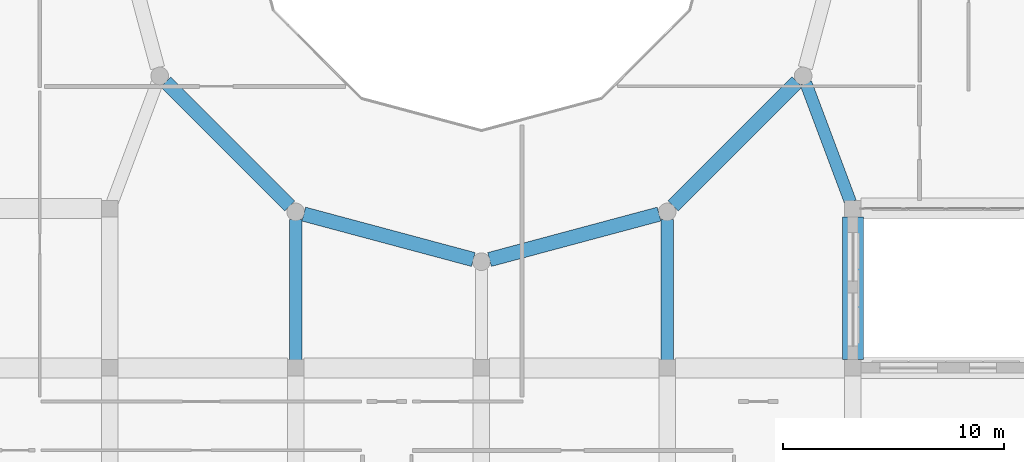
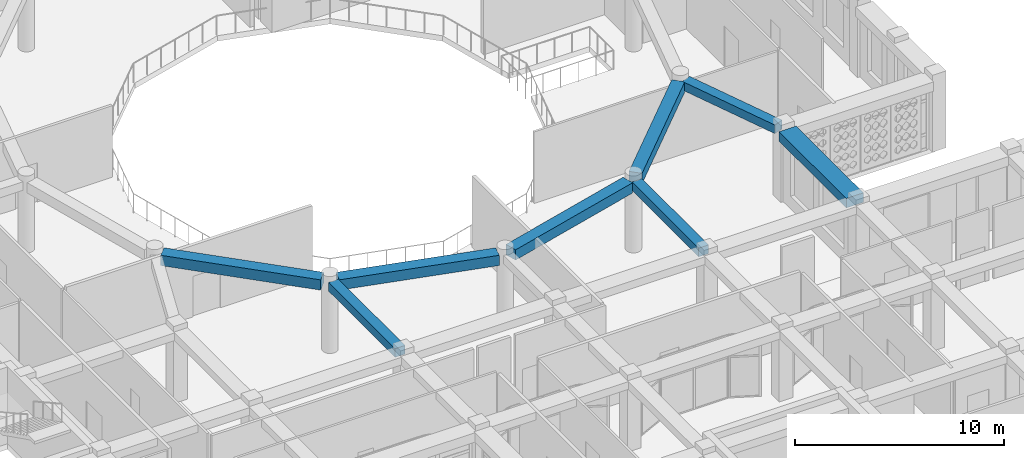
# One storey, part 33 of 121: 8 beams.
"""IFC4 building model written with IfcOpenShell, lengths in metres."""

from ifc_helpers import new_model, si_unit, derived_unit, direction, frame, origin, origin_2d, place, context, subcontext, project, spatial, rectangle, extrude, material, material_profile, profile_set, type_object, element, save


model = new_model("IFC4")

# Units and contexts
model_context = context("Model", 3, precision=1e-05, world=origin(), true_north=direction((0.0, 1.0)))
body_context = subcontext(model_context, "Body", "Model", "MODEL_VIEW")
ifc_project = project(units=[si_unit("LENGTHUNIT", "METRE"), si_unit("AREAUNIT", "SQUARE_METRE"), si_unit("VOLUMEUNIT", "CUBIC_METRE"), si_unit("PLANEANGLEUNIT", "RADIAN"), si_unit("MASSUNIT", "GRAM", prefix="KILO"), derived_unit("THERMALTRANSMITTANCEUNIT", [(si_unit("POWERUNIT", "WATT"), 1), (si_unit("LENGTHUNIT", "METRE"), -2), (si_unit("THERMODYNAMICTEMPERATUREUNIT", "KELVIN"), -1)])], contexts=[model_context])

# Site, building, storey
site_placement = place(None, origin())
site = spatial("IfcSite", under=ifc_project, at=site_placement, CompositionType="ELEMENT")
building_placement = place(site_placement, origin())
building = spatial("IfcBuilding", under=site, at=building_placement, Name="Veybourne Emporium", CompositionType="ELEMENT")
storey_placement = place(building_placement, frame((0.0, 0.0, 5.39990234375)))
storey = spatial("IfcBuildingStorey", under=building, at=storey_placement, Name="L01", CompositionType="ELEMENT", Elevation=5.39990234375)

# Beams
ifc_material = material(Name="Concrete C32/40", Category="concrete")
ifc_material_profile_1 = material_profile(ifc_material, rectangle(XDim=0.949951171875, YDim=0.550048828125, at=origin_2d()), Name="RC 950x550")
ifc_profile_set_1 = profile_set([ifc_material_profile_1], Name="Concrete C32/40")
beam_type_1 = type_object("IfcBeamType", Name="RCBeam_EB-01", PredefinedType="SPANDREL", material=ifc_profile_set_1)
beam_1_placement = place(storey_placement, frame((92.39990234375, 29.175048828125, 3.905029296875), z_axis=(0.0, 1.0, 0.0), x_axis=(-1.0, 0.0, 0.0)))
element("IfcBeam", 1, at=beam_1_placement, inside=storey, type_object=beam_type_1, Name="L01 Y-grid beam EB-01 (11,4)", PredefinedType="SPANDREL", context=body_context, shape_type="SweptSolid", body=[
    extrude(rectangle(XDim=0.949951171875, YDim=0.550048828125, at=origin_2d()), origin(), (0.0, 0.0, 1.0), 6.449951171875),
])
ifc_material_profile_2 = material_profile(ifc_material, rectangle(XDim=0.64990234375, YDim=0.60009765625, at=origin_2d()), Name="RC 650x600")
ifc_profile_set_2 = profile_set([ifc_material_profile_2], Name="Concrete C32/40")
beam_type_2 = type_object("IfcBeamType", Name="RCBeam_EB-02", PredefinedType="BEAM", material=ifc_profile_set_2)
for number, where, z_axis, x_axis, name in (
    (2, (61.319580078125, 41.731201171875, 3.880126953125), (0.707106781187, -0.707106781187, 0.0), (0.707106781187, 0.707106781187, 0.0), "Atrium ring beam EB-02 L01-08"),
    (3, (67.567138671875, 35.75244140625, 3.880126953125), (0.96592072481, -0.258838083332, 0.0), (0.258838083332, 0.96592072481, 0.0), "Atrium ring beam EB-02 L01-09"),
):
    element("IfcBeam", number, at=place(storey_placement, frame(where, z_axis=z_axis, x_axis=x_axis)), inside=storey, type_object=beam_type_2, Name=name, PredefinedType="BEAM", context=body_context, shape_type="SweptSolid", body=[
        extrude(rectangle(XDim=0.64990234375, YDim=0.60009765625, at=origin_2d()), origin(), (0.0, 0.0, 1.0), 7.936279296875),
    ])
beam_2_placement = place(storey_placement, frame((75.967041015625, 33.6982421875, 3.880126953125), z_axis=(0.965922785737, 0.258830392331, 0.0), x_axis=(-0.258830392331, 0.965922785737, 0.0)))
element("IfcBeam", 4, at=beam_2_placement, inside=storey, type_object=beam_type_2, Name="Atrium ring beam EB-02 L01-10", PredefinedType="BEAM", context=body_context, shape_type="SweptSolid", body=[
    extrude(rectangle(XDim=0.64990234375, YDim=0.60009765625, at=origin_2d()), origin(), (0.0, 0.0, 1.0), 7.9365234375),
])
beam_3_placement = place(storey_placement, frame((84.268798828125, 36.119384765625, 3.880126953125), z_axis=(0.707106781187, 0.707106781187, 0.0), x_axis=(-0.707106781187, 0.707106781187, 0.0)))
element("IfcBeam", 5, at=beam_3_placement, inside=storey, type_object=beam_type_2, Name="Atrium ring beam EB-02 L01-11", PredefinedType="BEAM", context=body_context, shape_type="SweptSolid", body=[
    extrude(rectangle(XDim=0.64990234375, YDim=0.60009765625, at=origin_2d()), origin(), (0.0, 0.0, 1.0), 7.936279296875),
])
ifc_material_profile_3 = material_profile(ifc_material, rectangle(XDim=0.550048828125, YDim=0.5, at=origin_2d()), Name="RC 550x500")
ifc_profile_set_3 = profile_set([ifc_material_profile_3], Name="Concrete C32/40")
beam_type_3 = type_object("IfcBeamType", Name="RCBeam_TB-01", PredefinedType="BEAM", material=ifc_profile_set_3)
for number, where, z_axis, x_axis, name in (
    (6, (67.199951171875, 35.5107421875, 3.93017578125), (0.0, -1.0, 0.0), (1.0, 0.0, 0.0), "Atrium radial tie beam L01-09"),
    (7, (84.0, 35.5107421875, 3.93017578125), (0.0, -1.0, 0.0), (1.0, 0.0, 0.0), "Atrium radial tie beam L01-11"),
):
    element("IfcBeam", number, at=place(storey_placement, frame(where, z_axis=z_axis, x_axis=x_axis)), inside=storey, type_object=beam_type_3, Name=name, PredefinedType="BEAM", context=body_context, shape_type="SweptSolid", body=[
        extrude(rectangle(XDim=0.550048828125, YDim=0.5, at=origin_2d()), origin(), (0.0, 0.0, 1.0), 6.395751953125),
    ])
beam_4_placement = place(storey_placement, frame((90.2685546875, 41.681640625, 3.93017578125), z_axis=(0.351235049133, -0.936287317152, 0.0), x_axis=(0.936287317152, 0.351235049133, 0.0)))
element("IfcBeam", 8, at=beam_4_placement, inside=storey, type_object=beam_type_3, Name="Atrium radial tie beam L01-12", PredefinedType="BEAM", context=body_context, shape_type="SweptSolid", body=[
    extrude(rectangle(XDim=0.550048828125, YDim=0.5, at=origin_2d()), origin(), (0.0, 0.0, 1.0), 5.753173828125),
])

save(model, "model.ifc")
